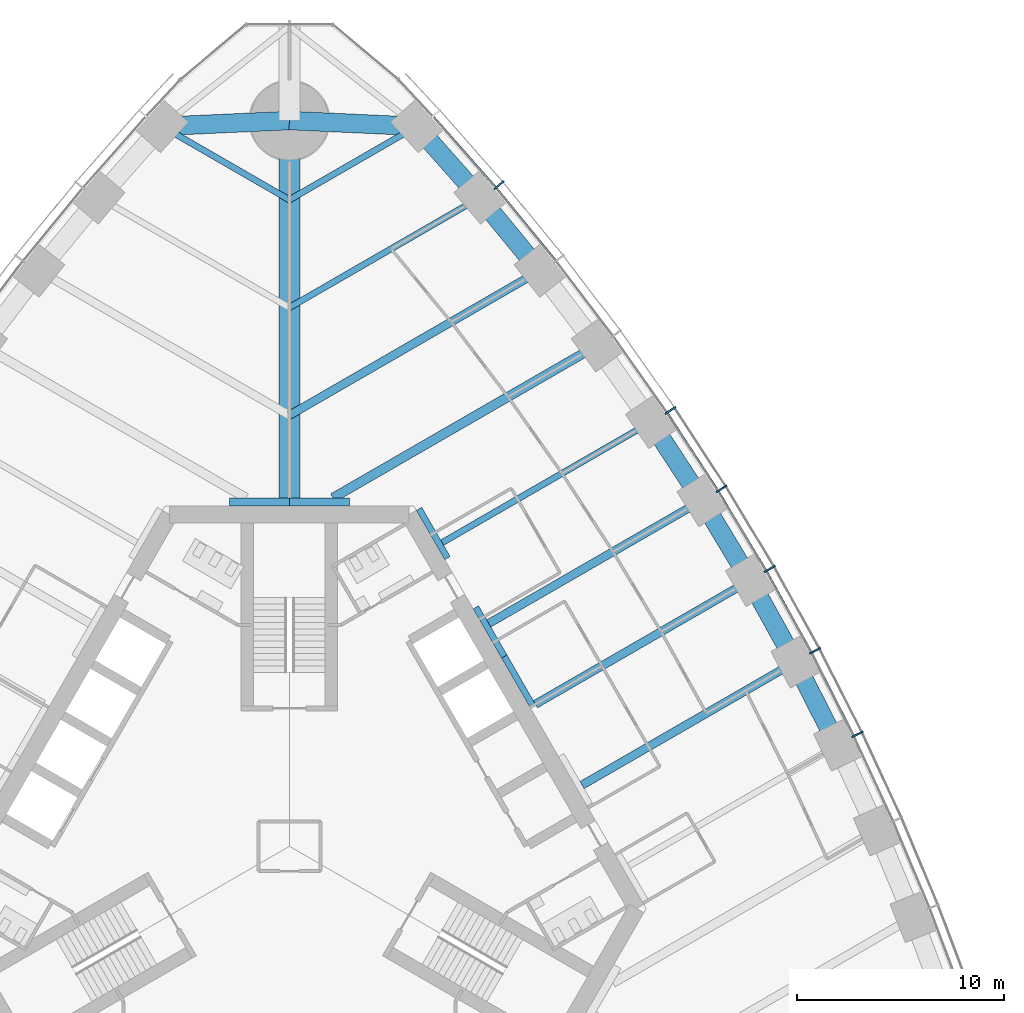
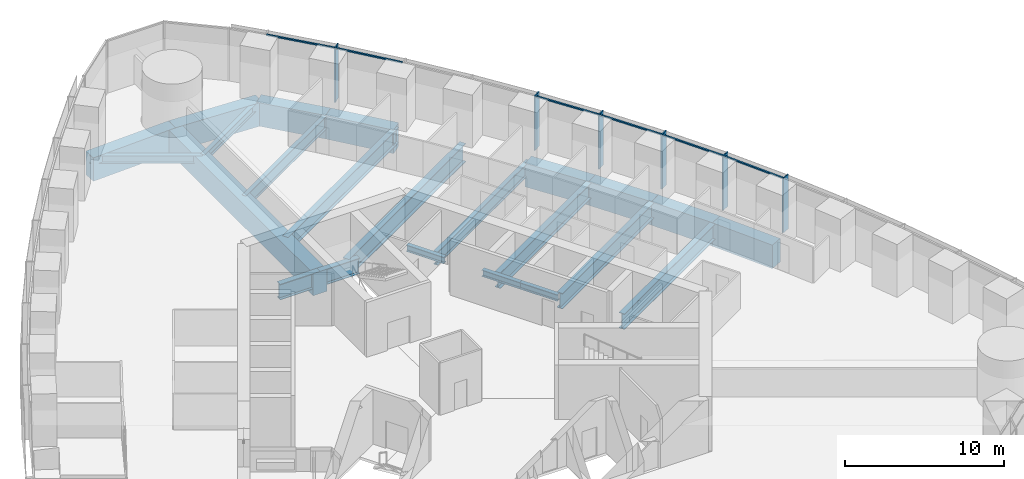
# One storey, part 5 of 18: 23 beams, 12 members, 1 element without a shape of its own.
"""IFC4 building model written with IfcOpenShell, lengths in metres."""

import ifcopenshell
import ifcopenshell.guid

model = None  # the IFC model being written
_history = None  # IfcOwnerHistory: only IFC2X3 demands one
_inside = {}  # id of a spatial element -> (the spatial element, [elements in it])
_under = {}  # id of a project, library or spatial element -> (it, [spatial elements below it])
_declared = {}  # id of a project -> (the project, [libraries it declares])
_typed = {}  # id of a type object -> (the type object, [elements of that type])
_made_of = {}  # id of a material, layer set ... -> (it, [elements and type objects made of it])


def new_model(schema):
    """Start an empty IFC model of exactly this schema.

    Asked for "IFC4X3", IfcOpenShell would pick the latest addendum, in which some entities
    have other attributes; the version numbers below select the first issue.
    IFC2X3 requires an IfcOwnerHistory on every rooted entity: one is made here for all.
    """
    global model, _history
    if schema == "IFC4X3":
        model = ifcopenshell.file(schema_version=(4, 3, 0, 0))
    else:
        model = ifcopenshell.file(schema=schema)
    _inside.clear()
    _under.clear()
    _declared.clear()
    _typed.clear()
    _made_of.clear()
    _history = None
    if model.schema == "IFC2X3":
        org = make("IfcOrganization", Name="unknown")
        user = make(
            "IfcPersonAndOrganization",
            ThePerson=make("IfcPerson", FamilyName="unknown"),
            TheOrganization=org,
        )
        app = make(
            "IfcApplication",
            ApplicationDeveloper=org,
            Version="unknown",
            ApplicationFullName="unknown",
            ApplicationIdentifier="unknown",
        )
        _history = make(
            "IfcOwnerHistory",
            OwningUser=user,
            OwningApplication=app,
            ChangeAction="ADDED",
            CreationDate=0,
        )
    return model


def make(cls, **values):
    """One entity of the class cls with the attributes given. An attribute that is None is left unset."""
    return model.create_entity(
        cls, **{name: value for name, value in values.items() if value is not None}
    )


def rooted(cls, **values):
    """An entity with a GlobalId (a new one), such as an element, a storey or a relation."""
    return make(cls, GlobalId=ifcopenshell.guid.new(), OwnerHistory=_history, **values)


def si_unit(unit_type, name, prefix=None):
    """IfcSIUnit, for example si_unit("LENGTHUNIT", "METRE", prefix="MILLI")."""
    return make("IfcSIUnit", UnitType=unit_type, Prefix=prefix, Name=name)


def assignment(units):
    """IfcUnitAssignment: the units of a project."""
    return None if units is None else make("IfcUnitAssignment", Units=units)


def point(xyz):
    """IfcCartesianPoint."""
    return None if xyz is None else make("IfcCartesianPoint", Coordinates=xyz)


def direction(xyz):
    """IfcDirection."""
    return None if xyz is None else make("IfcDirection", DirectionRatios=xyz)


def frame(location, z_axis=None, x_axis=None):
    """IfcAxis2Placement3D, a coordinate frame: its origin and axes. An axis left out is left unset."""
    return make(
        "IfcAxis2Placement3D",
        Location=point(location),
        Axis=direction(z_axis),
        RefDirection=direction(x_axis),
    )


def frame_2d(location, x_axis=None):
    """IfcAxis2Placement2D, a coordinate frame in the plane: its origin and x axis."""
    return make(
        "IfcAxis2Placement2D", Location=point(location), RefDirection=direction(x_axis)
    )


def origin():
    """The frame at (0, 0, 0) with its axes left unset."""
    return frame((0.0, 0.0, 0.0))


def origin_2d():
    """The frame at (0, 0) in the plane with its x axis left unset."""
    return frame_2d((0.0, 0.0))


def place(relative_to, where):
    """IfcLocalPlacement: puts the frame where relative to a parent placement (None: the world)."""
    return make(
        "IfcLocalPlacement", PlacementRelTo=relative_to, RelativePlacement=where
    )


def context(
    kind, dimensions, precision=None, world=None, true_north=None, identifier=None
):
    """IfcGeometricRepresentationContext, for example the 3D "Model" context."""
    return make(
        "IfcGeometricRepresentationContext",
        ContextIdentifier=identifier,
        ContextType=kind,
        CoordinateSpaceDimension=dimensions,
        Precision=precision,
        WorldCoordinateSystem=world,
        TrueNorth=true_north,
    )


def subcontext(parent, identifier, kind, view, scale=None):
    """IfcGeometricRepresentationSubContext, for example "Body" below "Model"."""
    return make(
        "IfcGeometricRepresentationSubContext",
        ContextIdentifier=identifier,
        ContextType=kind,
        ParentContext=parent,
        TargetScale=scale,
        TargetView=view,
    )


def project(units=None, contexts=None):
    """IfcProject with its units and contexts."""
    return rooted(
        "IfcProject",
        Name="project",
        RepresentationContexts=contexts,
        UnitsInContext=assignment(units),
    )


def spatial(cls, under=None, at=None, **own):
    """A site, building, storey or space (cls), placed at a placement, below another one or the project."""
    s = rooted(cls, ObjectPlacement=at, **own)
    if under is not None:
        _under.setdefault(under.id(), (under, []))[1].append(s)
    return s


def profile(cls, at=None, kind="AREA", **sizes):
    """A parametric profile (cls). Its sizes go by their IFC names, for example OverallWidth=200.0."""
    return make(cls, ProfileType=kind, Position=at, **sizes)


def rectangle(**sizes):
    """IfcRectangleProfileDef."""
    return profile("IfcRectangleProfileDef", **sizes)


def i_section(**sizes):
    """IfcIShapeProfileDef."""
    return profile("IfcIShapeProfileDef", **sizes)


def extrude(swept, where, along, depth):
    """IfcExtrudedAreaSolid: the profile swept, set in the frame where, extruded along a direction by depth."""
    return make(
        "IfcExtrudedAreaSolid",
        SweptArea=swept,
        Position=where,
        ExtrudedDirection=direction(along),
        Depth=depth,
    )


def shape(context_of_items, identifier, shape_type, items):
    """IfcShapeRepresentation: the items that make up one representation, for example the "Body"."""
    return make(
        "IfcShapeRepresentation",
        ContextOfItems=context_of_items,
        RepresentationIdentifier=identifier,
        RepresentationType=shape_type,
        Items=items,
    )


def material(Name=None, Category=None):
    """IfcMaterial."""
    return make("IfcMaterial", Name=Name, Category=Category)


def material_profile(
    of_material, cross_section, Name=None, Category=None, Priority=None
):
    """IfcMaterialProfile: a cross section and its material."""
    return make(
        "IfcMaterialProfile",
        Name=Name,
        Material=of_material,
        Profile=cross_section,
        Priority=Priority,
        Category=Category,
    )


def profile_set(profiles, Name=None, composite=None):
    """IfcMaterialProfileSet."""
    return make(
        "IfcMaterialProfileSet",
        Name=Name,
        MaterialProfiles=profiles,
        CompositeProfile=composite,
    )


def made_of(thing, what):
    """Note that an element or type object is made of a material, layer set ...; save() writes the relation."""
    if what is not None:
        _made_of.setdefault(what.id(), (what, []))[1].append(thing)
    return thing


def type_object(cls, material=None, **own):
    """A type object (cls), such as IfcWallType, which elements share."""
    return made_of(rooted(cls, **own), material)


def element(
    cls,
    number,
    at=None,
    inside=None,
    cuts=None,
    type_object=None,
    material=None,
    context=None,
    identifier="Body",
    shape_type=None,
    held_by="IfcProductDefinitionShape",
    body=None,
    shapes=None,
    **own,
):
    """One element of the class cls, such as IfcWall. Its Tag is "e" and its number.

    at: its placement. inside: the storey or other place that contains it. cuts: it is an
    opening in that element (IfcRelVoidsElement). A single representation is given by context,
    identifier, shape_type and body (its items); several are given by shapes. held_by: the class
    of the entity that holds the representations. save() writes the other relations.
    """
    e = rooted(cls, Tag="e%d" % number, ObjectPlacement=at, **own)
    if body is not None:
        shapes = [shape(context, identifier, shape_type, body)]
    if shapes is not None:
        e.Representation = make(held_by, Representations=shapes)
    if inside is not None:
        _inside.setdefault(inside.id(), (inside, []))[1].append(e)
    if cuts is not None:
        rooted(
            "IfcRelVoidsElement", RelatingBuildingElement=cuts, RelatedOpeningElement=e
        )
    if type_object is not None:
        _typed.setdefault(type_object.id(), (type_object, []))[1].append(e)
    return made_of(e, material)


def aggregate(whole, parts):
    """IfcRelAggregates: a whole, such as a stair, and the parts it consists of."""
    return rooted("IfcRelAggregates", RelatingObject=whole, RelatedObjects=parts)


def save(model, path):
    """Write the relations noted so far, then the file.

    IfcRelAggregates (storeys below a building ...), IfcRelContainedInSpatialStructure (elements
    in a storey), IfcRelDefinesByType, IfcRelAssociatesMaterial and IfcRelDeclares: one each for
    every whole, place, type object, material and project.
    """
    for whole, parts in _under.values():
        aggregate(whole, parts)
    for where, things in _inside.values():
        rooted(
            "IfcRelContainedInSpatialStructure",
            RelatedElements=things,
            RelatingStructure=where,
        )
    for kind, things in _typed.values():
        rooted("IfcRelDefinesByType", RelatedObjects=things, RelatingType=kind)
    for what, things in _made_of.values():
        rooted("IfcRelAssociatesMaterial", RelatedObjects=things, RelatingMaterial=what)
    for by, libraries in _declared.values():
        rooted("IfcRelDeclares", RelatingContext=by, RelatedDefinitions=libraries)
    model.write(path)


model = new_model("IFC4")

# Units and contexts
model_context = context("Model", 3, precision=1e-05, world=origin(), true_north=direction((0.0, 1.0)))
body_context = subcontext(model_context, "Body", "Model", "MODEL_VIEW")
ifc_project = project(units=[si_unit("LENGTHUNIT", "METRE"), si_unit("AREAUNIT", "SQUARE_METRE"), si_unit("VOLUMEUNIT", "CUBIC_METRE"), si_unit("PLANEANGLEUNIT", "RADIAN"), si_unit("MASSUNIT", "GRAM", prefix="KILO")], contexts=[model_context])

# Site, building, storey
site_placement = place(None, origin())
site = spatial("IfcSite", under=ifc_project, at=site_placement, CompositionType="ELEMENT")
building_placement = place(site_placement, origin())
building = spatial("IfcBuilding", under=site, at=building_placement, Name="Trefoil Bronze Tower", CompositionType="ELEMENT")
storey_placement = place(building_placement, frame((0.0, 0.0, 157.699951171875)))
storey = spatial("IfcBuildingStorey", under=building, at=storey_placement, Name="L36", CompositionType="ELEMENT", Elevation=157.699951171875)

# Curtain wall, members
ifc_material_1 = material(Name="Tinted solar-control glass", Category="glass")
curtain_wall_type = type_object("IfcCurtainWallType", Name="Bronze office curtain wall", PredefinedType="USERDEFINED", material=ifc_material_1)
curtain_wall_placement = place(storey_placement, origin())
curtain_wall = element("IfcCurtainWall", 1, at=curtain_wall_placement, inside=storey, type_object=curtain_wall_type, Name="CW-A L36 F2", ObjectType="CURTAIN WALL", PredefinedType="USERDEFINED")
ifc_material_2 = material(Name="Bronze-finish aluminium", Category="aluminium")
ifc_material_profile_1 = material_profile(ifc_material_2, rectangle(XDim=0.60009765625, YDim=0.080078125, at=origin_2d()), Name="CW-A mullion")
ifc_profile_set_1 = profile_set([ifc_material_profile_1], Name="Bronze-finish aluminium")
member_type_1 = type_object("IfcMemberType", Name="Bronze office curtain wall mullion", PredefinedType="MULLION", material=ifc_profile_set_1)
member_1_placement = place(storey_placement, frame((27.394775390625, 5.399169921875, 0.0), z_axis=(0.0, 0.0, 1.0), x_axis=(-0.899819602033, -0.436262173236, 0.0)))
member_1 = element("IfcMember", 2, at=member_1_placement, type_object=member_type_1, Name="CW-A L36 F2 mullion 6", PredefinedType="MULLION", context=body_context, shape_type="SweptSolid", body=[
    extrude(rectangle(XDim=0.60009765625, YDim=0.080078125, at=origin_2d()), origin(), (0.0, 0.0, 1.0), 4.179931640625),
])
member_2_placement = place(storey_placement, frame((25.350830078125, 9.427734375, 0.0), z_axis=(0.0, 0.0, 1.0), x_axis=(-0.883486441467, -0.468456729853, 0.0)))
member_2 = element("IfcMember", 3, at=member_2_placement, type_object=member_type_1, Name="CW-A L36 F2 mullion 7", PredefinedType="MULLION", context=body_context, shape_type="SweptSolid", body=[
    extrude(rectangle(XDim=0.60009765625, YDim=0.080078125, at=origin_2d()), origin(), (0.0, 0.0, 1.0), 4.179931640625),
])
member_3_placement = place(storey_placement, frame((23.166015625, 13.374755859375, 0.0), z_axis=(0.0, 0.0, 1.0), x_axis=(-0.866025403784, -0.5, 0.0)))
member_3 = element("IfcMember", 4, at=member_3_placement, type_object=member_type_1, Name="CW-A L36 F2 mullion 8", PredefinedType="MULLION", context=body_context, shape_type="SweptSolid", body=[
    extrude(rectangle(XDim=0.60009765625, YDim=0.080078125, at=origin_2d()), origin(), (0.0, 0.0, 1.0), 4.179931640625),
])
member_4_placement = place(storey_placement, frame((20.840087890625, 17.24072265625, 0.0), z_axis=(0.0, 0.0, 1.0), x_axis=(-0.84743864936, -0.530893337283, 0.0)))
member_4 = element("IfcMember", 5, at=member_4_placement, type_object=member_type_1, Name="CW-A L36 F2 mullion 9", PredefinedType="MULLION", context=body_context, shape_type="SweptSolid", body=[
    extrude(rectangle(XDim=0.60009765625, YDim=0.080078125, at=origin_2d()), origin(), (0.0, 0.0, 1.0), 4.179931640625),
])
member_5_placement = place(storey_placement, frame((18.373046875, 21.025146484375, 0.0), z_axis=(0.0, 0.0, 1.0), x_axis=(-0.827723925749, -0.561135547566, 0.0)))
member_5 = element("IfcMember", 6, at=member_5_placement, type_object=member_type_1, Name="CW-A L36 F2 mullion 10", PredefinedType="MULLION", context=body_context, shape_type="SweptSolid", body=[
    extrude(rectangle(XDim=0.60009765625, YDim=0.080078125, at=origin_2d()), origin(), (0.0, 0.0, 1.0), 4.179931640625),
])
member_6_placement = place(storey_placement, frame((10.11474609375, 31.8828125, 0.0), z_axis=(0.0, 0.0, 1.0), x_axis=(-0.761721651066, -0.647904411389, 0.0)))
member_6 = element("IfcMember", 7, at=member_6_placement, type_object=member_type_1, Name="CW-A L36 F2 mullion 13", PredefinedType="MULLION", context=body_context, shape_type="SweptSolid", body=[
    extrude(rectangle(XDim=0.60009765625, YDim=0.080078125, at=origin_2d()), origin(), (0.0, 0.0, 1.0), 4.179931640625),
])
ifc_material_3 = material(Name="Bronze-finish aluminium", Category="aluminium")
ifc_material_profile_2 = material_profile(ifc_material_3, rectangle(XDim=0.1201171875, YDim=0.10009765625, at=origin_2d()), Name="CW-A transom")
ifc_profile_set_2 = profile_set([ifc_material_profile_2], Name="Bronze-finish aluminium")
member_type_2 = type_object("IfcMemberType", Name="Bronze office curtain wall transom", PredefinedType="USERDEFINED", material=ifc_profile_set_2)
member_7_placement = place(storey_placement, frame((27.196044921875, 5.34912109375, 4.130126953125), z_axis=(-0.452478489814, 0.891775317138, 0.0), x_axis=(-0.891775317138, -0.452478489814, 0.0)))
member_7 = element("IfcMember", 8, at=member_7_placement, type_object=member_type_2, Name="CW-A L36 F2 transom 6", ObjectType="TRANSOM", PredefinedType="USERDEFINED", context=body_context, shape_type="SweptSolid", body=[
    extrude(rectangle(XDim=0.1201171875, YDim=0.10009765625, at=origin_2d()), origin(), (0.0, 0.0, 1.0), 4.426513671875),
])
member_8_placement = place(storey_placement, frame((25.154052734375, 9.37060546875, 4.130126953125), z_axis=(-0.484329470343, 0.874885686337, 0.0), x_axis=(-0.874885686337, -0.484329470343, 0.0)))
member_8 = element("IfcMember", 9, at=member_8_placement, type_object=member_type_2, Name="CW-A L36 F2 transom 7", ObjectType="TRANSOM", PredefinedType="USERDEFINED", context=body_context, shape_type="SweptSolid", body=[
    extrude(rectangle(XDim=0.1201171875, YDim=0.10009765625, at=origin_2d()), origin(), (0.0, 0.0, 1.0), 4.4208984375),
])
member_9_placement = place(storey_placement, frame((22.97119140625, 13.310546875, 4.130126953125), z_axis=(-0.515526794174, 0.856873458854, 0.0), x_axis=(-0.856873458854, -0.515526794174, 0.0)))
member_9 = element("IfcMember", 10, at=member_9_placement, type_object=member_type_2, Name="CW-A L36 F2 transom 8", ObjectType="TRANSOM", PredefinedType="USERDEFINED", context=body_context, shape_type="SweptSolid", body=[
    extrude(rectangle(XDim=0.1201171875, YDim=0.10009765625, at=origin_2d()), origin(), (0.0, 0.0, 1.0), 4.4208984375),
])
member_10_placement = place(storey_placement, frame((20.647705078125, 17.16943359375, 4.130126953125), z_axis=(-0.546079336226, 0.837733465099, 0.0), x_axis=(-0.837733465099, -0.546079336226, 0.0)))
member_10 = element("IfcMember", 11, at=member_10_placement, type_object=member_type_2, Name="CW-A L36 F2 transom 9", ObjectType="TRANSOM", PredefinedType="USERDEFINED", context=body_context, shape_type="SweptSolid", body=[
    extrude(rectangle(XDim=0.1201171875, YDim=0.10009765625, at=origin_2d()), origin(), (0.0, 0.0, 1.0), 4.426513671875),
])
member_11_placement = place(storey_placement, frame((12.82861328125, 28.255615234375, 4.130126953125), z_axis=(-0.633848872297, 0.773456919995, 0.0), x_axis=(-0.773456919995, -0.633848872297, 0.0)))
member_11 = element("IfcMember", 12, at=member_11_placement, type_object=member_type_2, Name="CW-A L36 F2 transom 12", ObjectType="TRANSOM", PredefinedType="USERDEFINED", context=body_context, shape_type="SweptSolid", body=[
    extrude(rectangle(XDim=0.1201171875, YDim=0.10009765625, at=origin_2d()), origin(), (0.0, 0.0, 1.0), 4.480224609375),
])
member_12_placement = place(storey_placement, frame((9.9345703125, 31.78466796875, 4.130126953125), z_axis=(-0.66173618877, 0.749736764786, 0.0), x_axis=(-0.749736764786, -0.66173618877, 0.0)))
member_12 = element("IfcMember", 13, at=member_12_placement, type_object=member_type_2, Name="CW-A L36 F2 transom 13", ObjectType="TRANSOM", PredefinedType="USERDEFINED", context=body_context, shape_type="SweptSolid", body=[
    extrude(rectangle(XDim=0.1201171875, YDim=0.10009765625, at=origin_2d()), origin(), (0.0, 0.0, 1.0), 4.510986328125),
])
aggregate(curtain_wall, [member_1, member_2, member_3, member_4, member_5, member_6, member_7, member_8, member_9, member_10, member_11, member_12])

# Beams
ifc_material_4 = material(Name="Steel C355", Category="steel")
ifc_material_profile_3 = material_profile(ifc_material_4, i_section(OverallWidth=0.300048828125, OverallDepth=0.5, WebThickness=0.014404296875, FlangeThickness=0.028076171875, FilletRadius=0.027099609375, at=origin_2d()), Name="HEB 500")
ifc_profile_set_3 = profile_set([ifc_material_profile_3], Name="Steel C355")
beam_type_1 = type_object("IfcBeamType", Name="Core seat beam HEB 500", PredefinedType="BEAM", material=ifc_profile_set_3)
for number, where, z_axis, x_axis, name in (
    (14, (11.734619140625, 6.77490234375, -0.449951171875), (-0.499969057507, 0.866043267704, 0.0), (-0.866043267704, -0.499969057507, 0.0), "Core seat beam F2/+0 L36"),
    (15, (10.363525390625, 9.14990234375, -0.449951171875), (-0.500035825175, 0.866004719122, 0.0), (-0.866004719122, -0.500035825175, 0.0), "Core seat beam F2/+1 L36"),
    (16, (7.62109375, 13.89990234375, -0.449951171875), (-0.500035825175, 0.866004719122, 0.0), (-0.866004719122, -0.500035825175, 0.0), "Core seat beam F2/+2 L36"),
):
    element("IfcBeam", number, at=place(storey_placement, frame(where, z_axis=z_axis, x_axis=x_axis)), inside=storey, type_object=beam_type_1, Name=name, PredefinedType="BEAM", context=body_context, shape_type="SweptSolid", body=[
        extrude(i_section(OverallWidth=0.300048828125, OverallDepth=0.5, WebThickness=0.014404296875, FlangeThickness=0.028076171875, FilletRadius=0.027099609375, at=origin_2d()), origin(), (0.0, 0.0, 1.0), 2.742431640625),
    ])
ifc_material_5 = material(Name="Steel C355", Category="steel")
ifc_material_profile_4 = material_profile(ifc_material_5, i_section(OverallWidth=0.39990234375, OverallDepth=1.199951171875, WebThickness=0.02001953125, FlangeThickness=0.0400390625, FilletRadius=0.010009765625, at=origin_2d()), Name="WPG 1200")
ifc_profile_set_4 = profile_set([ifc_material_profile_4], Name="Steel C355")
beam_type_2 = type_object("IfcBeamType", Name="Core seat beam WPG 1200", PredefinedType="BEAM", material=ifc_profile_set_4)
for number, where, z_axis, x_axis, name in (
    (17, (2.88671875, 16.60009765625, -0.800048828125), (-1.0, 0.0, 0.0), (0.0, -1.0, 0.0), "Core seat beam F2/+3 L36"),
    (18, (0.0, 16.60009765625, -0.800048828125), (-1.0, 0.0, 0.0), (0.0, -1.0, 0.0), "Core seat beam F3/-3 L36"),
):
    element("IfcBeam", number, at=place(storey_placement, frame(where, z_axis=z_axis, x_axis=x_axis)), inside=storey, type_object=beam_type_2, Name=name, PredefinedType="BEAM", context=body_context, shape_type="SweptSolid", body=[
        extrude(i_section(OverallWidth=0.39990234375, OverallDepth=1.199951171875, WebThickness=0.02001953125, FlangeThickness=0.0400390625, FilletRadius=0.010009765625, at=origin_2d()), origin(), (0.0, 0.0, 1.0), 2.88671875),
    ])
ifc_material_6 = material(Name="Concrete B80", Category="concrete")
ifc_material_profile_5 = material_profile(ifc_material_6, rectangle(XDim=1.0, YDim=1.699951171875, at=origin_2d()), Name="RC 1000x1700")
ifc_profile_set_5 = profile_set([ifc_material_profile_5], Name="Concrete B80")
beam_type_3 = type_object("IfcBeamType", Name="Corner girder RC 1000x1700", PredefinedType="BEAM", material=ifc_profile_set_5)
beam_1_placement = place(storey_placement, frame((0.0, 16.39990234375, -1.050048828125), z_axis=(0.0, 1.0, 0.0), x_axis=(-1.0, 0.0, 0.0)))
element("IfcBeam", 19, at=beam_1_placement, inside=storey, type_object=beam_type_3, Name="Corner girder K2 L36", PredefinedType="BEAM", context=body_context, shape_type="SweptSolid", body=[
    extrude(rectangle(XDim=1.0, YDim=1.699951171875, at=origin_2d()), origin(), (0.0, 0.0, 1.0), 18.60009765625),
])
ifc_material_7 = material(Name="Concrete B80", Category="concrete")
ifc_material_profile_6 = material_profile(ifc_material_7, rectangle(XDim=0.89990234375, YDim=1.800048828125, at=origin_2d()), Name="RC 900x1800")
ifc_profile_set_6 = profile_set([ifc_material_profile_6], Name="Concrete B80")
beam_type_4 = type_object("IfcBeamType", Name="End spandrel beam RC 900x1800", PredefinedType="SPANDREL", material=ifc_profile_set_6)
for number, where, z_axis, x_axis, name in (
    (20, (6.13916015625, 34.72119140625, -1.099853515625), (-0.998970341464, 0.045368015985, 0.0), (-0.045368015985, -0.998970341464, 0.0), "Spandrel F2.14 L36"),
    (21, (0.0, 35.0, -1.099853515625), (-0.998970341464, -0.045368015985, 0.0), (0.045368015985, -0.998970341464, 0.0), "Spandrel F3.1 L36"),
):
    element("IfcBeam", number, at=place(storey_placement, frame(where, z_axis=z_axis, x_axis=x_axis)), inside=storey, type_object=beam_type_4, Name=name, PredefinedType="SPANDREL", context=body_context, shape_type="SweptSolid", body=[
        extrude(rectangle(XDim=0.89990234375, YDim=1.800048828125, at=origin_2d()), origin(), (0.0, 0.0, 1.0), 6.1455078125),
    ])
ifc_material_8 = material(Name="Steel C355", Category="steel")
ifc_material_profile_7 = material_profile(ifc_material_8, i_section(OverallWidth=0.300048828125, OverallDepth=1.0, WebThickness=0.01904296875, FlangeThickness=0.035888671875, FilletRadius=0.030029296875, at=origin_2d()), Name="HEB 1000")
ifc_profile_set_7 = profile_set([ifc_material_profile_7], Name="Steel C355")
beam_type_5 = type_object("IfcBeamType", Name="Floor beam HEB 1000", PredefinedType="BEAM", material=ifc_profile_set_7)
beam_2_placement = place(storey_placement, frame((9.181884765625, 31.281982421875, -0.699951171875), z_axis=(-0.866021079084, -0.500007490527, 0.0), x_axis=(0.500007490527, -0.866021079084, 0.0)))
element("IfcBeam", 22, at=beam_2_placement, inside=storey, type_object=beam_type_5, Name="Floor beam F2/+5 L36", PredefinedType="BEAM", context=body_context, shape_type="SweptSolid", body=[
    extrude(i_section(OverallWidth=0.300048828125, OverallDepth=1.0, WebThickness=0.01904296875, FlangeThickness=0.035888671875, FilletRadius=0.030029296875, at=origin_2d()), origin(), (0.0, 0.0, 1.0), 10.602294921875),
])
ifc_material_9 = material(Name="Steel C355", Category="steel")
ifc_material_profile_8 = material_profile(ifc_material_9, i_section(OverallWidth=0.300048828125, OverallDepth=0.60009765625, WebThickness=0.015380859375, FlangeThickness=0.030029296875, FilletRadius=0.027099609375, at=origin_2d()), Name="HEB 600")
ifc_profile_set_8 = profile_set([ifc_material_profile_8], Name="Steel C355")
beam_type_6 = type_object("IfcBeamType", Name="Floor beam HEB 600", PredefinedType="BEAM", material=ifc_profile_set_8)
for number, where, z_axis, x_axis, name in (
    (23, (6.13916015625, 34.72119140625, -0.5), (-0.866041060244, -0.499972881236, 0.0), (0.499972881236, -0.866041060244, 0.0), "Floor beam F2/+6 L36"),
    (24, (-6.13916015625, 34.72119140625, -0.5), (0.866041060244, -0.499972881236, 0.0), (0.499972881236, 0.866041060244, 0.0), "Floor beam F3/-6 L36"),
):
    element("IfcBeam", number, at=place(storey_placement, frame(where, z_axis=z_axis, x_axis=x_axis)), inside=storey, type_object=beam_type_6, Name=name, PredefinedType="BEAM", context=body_context, shape_type="SweptSolid", body=[
        extrude(i_section(OverallWidth=0.300048828125, OverallDepth=0.60009765625, WebThickness=0.015380859375, FlangeThickness=0.030029296875, FilletRadius=0.027099609375, at=origin_2d()), origin(), (0.0, 0.0, 1.0), 7.0888671875),
    ])
ifc_material_10 = material(Name="Steel C355", Category="steel")
ifc_material_profile_9 = material_profile(ifc_material_10, i_section(OverallWidth=0.302001953125, OverallDepth=1.008056640625, WebThickness=0.02099609375, FlangeThickness=0.0400390625, FilletRadius=0.030029296875, at=origin_2d()), Name="HEM 1000")
ifc_profile_set_9 = profile_set([ifc_material_profile_9], Name="Steel C355")
beam_type_7 = type_object("IfcBeamType", Name="Floor beam HEM 1000", PredefinedType="BEAM", material=ifc_profile_set_9)
beam_3_placement = place(storey_placement, frame((17.43017578125, 20.45556640625, -0.703857421875), z_axis=(-0.866030626868, -0.499990953245, 0.0), x_axis=(0.499990953245, -0.866030626868, 0.0)))
element("IfcBeam", 25, at=beam_3_placement, inside=storey, type_object=beam_type_7, Name="Floor beam F2/+2 L36", PredefinedType="BEAM", context=body_context, shape_type="SweptSolid", body=[
    extrude(i_section(OverallWidth=0.302001953125, OverallDepth=1.008056640625, WebThickness=0.02099609375, FlangeThickness=0.0400390625, FilletRadius=0.030029296875, at=origin_2d()), origin(), (0.0, 0.0, 1.0), 11.622802734375),
])
ifc_material_11 = material(Name="Steel C355", Category="steel")
ifc_material_profile_10 = material_profile(ifc_material_11, i_section(OverallWidth=0.39990234375, OverallDepth=1.199951171875, WebThickness=0.02001953125, FlangeThickness=0.0400390625, FilletRadius=0.010009765625, at=origin_2d()), Name="WPG 1200")
ifc_profile_set_10 = profile_set([ifc_material_profile_10], Name="Steel C355")
beam_type_8 = type_object("IfcBeamType", Name="Floor beam WPG 1200", PredefinedType="BEAM", material=ifc_profile_set_10)
beam_4_placement = place(storey_placement, frame((24.392578125, 8.886962890625, -0.800048828125), z_axis=(-0.866024236736, -0.500002021381, 0.0), x_axis=(0.500002021381, -0.866024236736, 0.0)))
element("IfcBeam", 26, at=beam_4_placement, inside=storey, type_object=beam_type_8, Name="Floor beam F2/-1 L36", PredefinedType="BEAM", context=body_context, shape_type="SweptSolid", body=[
    extrude(i_section(OverallWidth=0.39990234375, OverallDepth=1.199951171875, WebThickness=0.02001953125, FlangeThickness=0.0400390625, FilletRadius=0.010009765625, at=origin_2d()), origin(), (0.0, 0.0, 1.0), 11.8681640625),
])
beam_5_placement = place(storey_placement, frame((22.21337890625, 12.824951171875, -0.800048828125), z_axis=(-0.866028062731, -0.499995394541, 0.0), x_axis=(0.499995394541, -0.866028062731, 0.0)))
element("IfcBeam", 27, at=beam_5_placement, inside=storey, type_object=beam_type_8, Name="Floor beam F2/+0 L36", PredefinedType="BEAM", context=body_context, shape_type="SweptSolid", body=[
    extrude(i_section(OverallWidth=0.39990234375, OverallDepth=1.199951171875, WebThickness=0.02001953125, FlangeThickness=0.0400390625, FilletRadius=0.010009765625, at=origin_2d()), origin(), (0.0, 0.0, 1.0), 11.94970703125),
])
beam_6_placement = place(storey_placement, frame((19.892578125, 16.68115234375, -0.800048828125), z_axis=(-0.866024236736, -0.500002021381, 0.0), x_axis=(0.500002021381, -0.866024236736, 0.0)))
element("IfcBeam", 28, at=beam_6_placement, inside=storey, type_object=beam_type_8, Name="Floor beam F2/+1 L36", PredefinedType="BEAM", context=body_context, shape_type="SweptSolid", body=[
    extrude(i_section(OverallWidth=0.39990234375, OverallDepth=1.199951171875, WebThickness=0.02001953125, FlangeThickness=0.0400390625, FilletRadius=0.010009765625, at=origin_2d()), origin(), (0.0, 0.0, 1.0), 11.8681640625),
])
beam_7_placement = place(storey_placement, frame((12.07666015625, 27.757080078125, -0.800048828125), z_axis=(-0.866026983775, -0.499997263366, 0.0), x_axis=(0.499997263366, -0.866026983775, 0.0)))
element("IfcBeam", 29, at=beam_7_placement, inside=storey, type_object=beam_type_8, Name="Floor beam F2/+4 L36", PredefinedType="BEAM", context=body_context, shape_type="SweptSolid", body=[
    extrude(i_section(OverallWidth=0.39990234375, OverallDepth=1.199951171875, WebThickness=0.02001953125, FlangeThickness=0.0400390625, FilletRadius=0.010009765625, at=origin_2d()), origin(), (0.0, 0.0, 1.0), 13.94482421875),
])
ifc_material_12 = material(Name="Steel C355", Category="steel")
ifc_material_profile_11 = material_profile(ifc_material_12, i_section(OverallWidth=0.449951171875, OverallDepth=1.39990234375, WebThickness=0.02294921875, FlangeThickness=0.044921875, FilletRadius=0.011962890625, at=origin_2d()), Name="WPG 1400")
ifc_profile_set_11 = profile_set([ifc_material_profile_11], Name="Steel C355")
beam_type_9 = type_object("IfcBeamType", Name="Floor beam WPG 1400", PredefinedType="BEAM", material=ifc_profile_set_11)
beam_8_placement = place(storey_placement, frame((14.825439453125, 24.14794921875, -0.89990234375), z_axis=(-0.866027342682, -0.499996641717, 0.0), x_axis=(0.499996641717, -0.866027342682, 0.0)))
element("IfcBeam", 30, at=beam_8_placement, inside=storey, type_object=beam_type_9, Name="Floor beam F2/+3 L36", PredefinedType="BEAM", context=body_context, shape_type="SweptSolid", body=[
    extrude(i_section(OverallWidth=0.449951171875, OverallDepth=1.39990234375, WebThickness=0.02294921875, FlangeThickness=0.044921875, FilletRadius=0.011962890625, at=origin_2d()), origin(), (0.0, 0.0, 1.0), 14.69580078125),
])
ifc_material_13 = material(Name="Concrete B80", Category="concrete")
ifc_material_profile_12 = material_profile(ifc_material_13, rectangle(XDim=0.89990234375, YDim=1.800048828125, at=origin_2d()), Name="RC 900x1800")
ifc_profile_set_12 = profile_set([ifc_material_profile_12], Name="Concrete B80")
beam_type_10 = type_object("IfcBeamType", Name="Spandrel beam RC 900x1800", PredefinedType="SPANDREL", material=ifc_profile_set_12)
beam_9_placement = place(storey_placement, frame((26.43017578125, 4.8671875, -1.099853515625), z_axis=(-0.452125717735, 0.891954222683, 0.0), x_axis=(-0.891954222683, -0.452125717735, 0.0)))
element("IfcBeam", 31, at=beam_9_placement, inside=storey, type_object=beam_type_10, Name="Spandrel F2.6 L36", PredefinedType="SPANDREL", context=body_context, shape_type="SweptSolid", body=[
    extrude(rectangle(XDim=0.89990234375, YDim=1.800048828125, at=origin_2d()), origin(), (0.0, 0.0, 1.0), 4.506591796875),
])
for number, where, z_axis, x_axis, name in (
    (32, (24.392578125, 8.886962890625, -1.099853515625), (-0.484186866546, 0.874964615436, 0.0), (-0.874964615436, -0.484186866546, 0.0), "Spandrel F2.7 L36"),
    (33, (22.21337890625, 12.824951171875, -1.099853515625), (-0.515651979972, 0.856798129988, 0.0), (-0.856798129988, -0.515651979972, 0.0), "Spandrel F2.8 L36"),
):
    element("IfcBeam", number, at=place(storey_placement, frame(where, z_axis=z_axis, x_axis=x_axis)), inside=storey, type_object=beam_type_10, Name=name, PredefinedType="SPANDREL", context=body_context, shape_type="SweptSolid", body=[
        extrude(rectangle(XDim=0.89990234375, YDim=1.800048828125, at=origin_2d()), origin(), (0.0, 0.0, 1.0), 4.500732421875),
    ])
beam_10_placement = place(storey_placement, frame((19.892578125, 16.68115234375, -1.099853515625), z_axis=(-0.546396670296, 0.83752652417, 0.0), x_axis=(-0.83752652417, -0.546396670296, 0.0)))
element("IfcBeam", 34, at=beam_10_placement, inside=storey, type_object=beam_type_10, Name="Spandrel F2.9 L36", PredefinedType="SPANDREL", context=body_context, shape_type="SweptSolid", body=[
    extrude(rectangle(XDim=0.89990234375, YDim=1.800048828125, at=origin_2d()), origin(), (0.0, 0.0, 1.0), 4.506591796875),
])
beam_11_placement = place(storey_placement, frame((12.07666015625, 27.757080078125, -1.099853515625), z_axis=(-0.634650386838, 0.772799383079, 0.0), x_axis=(-0.772799383079, -0.634650386838, 0.0)))
element("IfcBeam", 35, at=beam_11_placement, inside=storey, type_object=beam_type_10, Name="Spandrel F2.12 L36", PredefinedType="SPANDREL", context=body_context, shape_type="SweptSolid", body=[
    extrude(rectangle(XDim=0.89990234375, YDim=1.800048828125, at=origin_2d()), origin(), (0.0, 0.0, 1.0), 4.561279296875),
])
beam_12_placement = place(storey_placement, frame((9.181884765625, 31.281982421875, -1.099853515625), z_axis=(-0.662616326239, 0.748959013699, 0.0), x_axis=(-0.748959013699, -0.662616326239, 0.0)))
element("IfcBeam", 36, at=beam_12_placement, inside=storey, type_object=beam_type_10, Name="Spandrel F2.13 L36", PredefinedType="SPANDREL", context=body_context, shape_type="SweptSolid", body=[
    extrude(rectangle(XDim=0.89990234375, YDim=1.800048828125, at=origin_2d()), origin(), (0.0, 0.0, 1.0), 4.592041015625),
])

save(model, "model.ifc")
